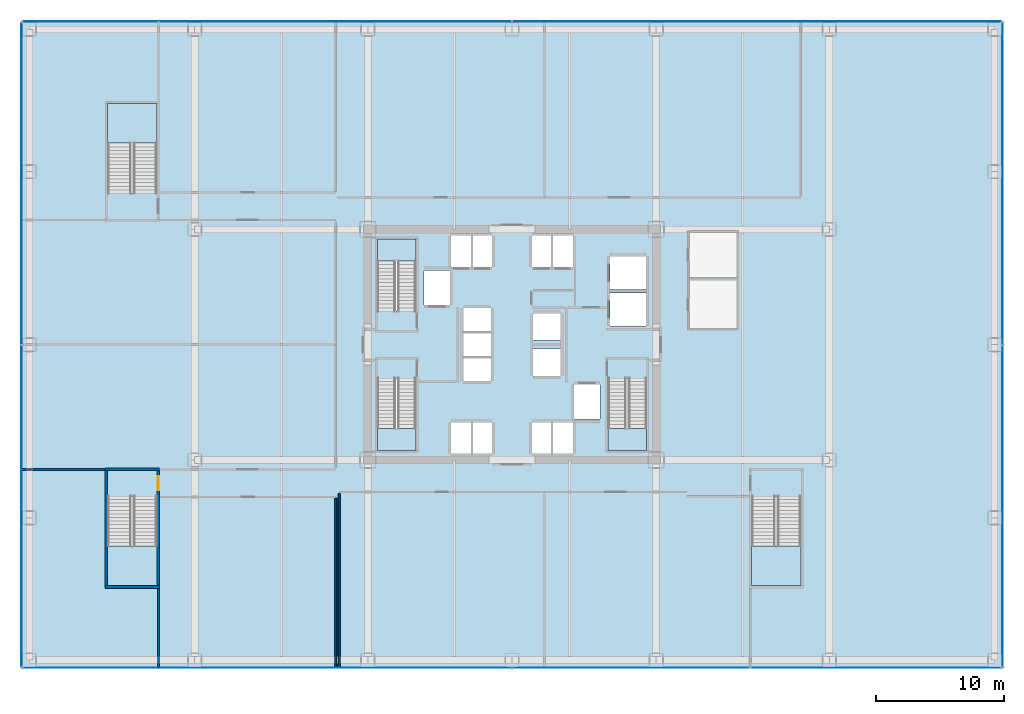
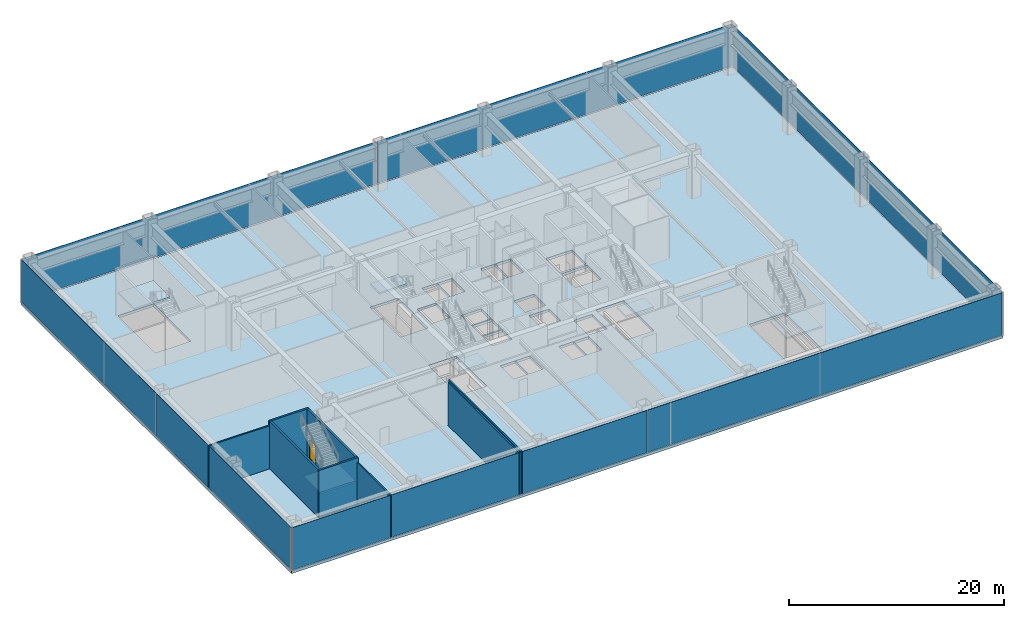
# One storey, part 16 of 24: 8 plates, 8 walls, 7 slabs, 1 door, 1 opening, 10 elements without a shape of their own.
"""IFC4 building model written with IfcOpenShell, lengths in metres."""

import ifcopenshell
import ifcopenshell.guid

model = None  # the IFC model being written
_history = None  # IfcOwnerHistory: only IFC2X3 demands one
_inside = {}  # id of a spatial element -> (the spatial element, [elements in it])
_under = {}  # id of a project, library or spatial element -> (it, [spatial elements below it])
_declared = {}  # id of a project -> (the project, [libraries it declares])
_typed = {}  # id of a type object -> (the type object, [elements of that type])
_made_of = {}  # id of a material, layer set ... -> (it, [elements and type objects made of it])


def new_model(schema):
    """Start an empty IFC model of exactly this schema.

    Asked for "IFC4X3", IfcOpenShell would pick the latest addendum, in which some entities
    have other attributes; the version numbers below select the first issue.
    IFC2X3 requires an IfcOwnerHistory on every rooted entity: one is made here for all.
    """
    global model, _history
    if schema == "IFC4X3":
        model = ifcopenshell.file(schema_version=(4, 3, 0, 0))
    else:
        model = ifcopenshell.file(schema=schema)
    _inside.clear()
    _under.clear()
    _declared.clear()
    _typed.clear()
    _made_of.clear()
    _history = None
    if model.schema == "IFC2X3":
        org = make("IfcOrganization", Name="unknown")
        user = make(
            "IfcPersonAndOrganization",
            ThePerson=make("IfcPerson", FamilyName="unknown"),
            TheOrganization=org,
        )
        app = make(
            "IfcApplication",
            ApplicationDeveloper=org,
            Version="unknown",
            ApplicationFullName="unknown",
            ApplicationIdentifier="unknown",
        )
        _history = make(
            "IfcOwnerHistory",
            OwningUser=user,
            OwningApplication=app,
            ChangeAction="ADDED",
            CreationDate=0,
        )
    return model


def make(cls, **values):
    """One entity of the class cls with the attributes given. An attribute that is None is left unset."""
    return model.create_entity(
        cls, **{name: value for name, value in values.items() if value is not None}
    )


def rooted(cls, **values):
    """An entity with a GlobalId (a new one), such as an element, a storey or a relation."""
    return make(cls, GlobalId=ifcopenshell.guid.new(), OwnerHistory=_history, **values)


def si_unit(unit_type, name, prefix=None):
    """IfcSIUnit, for example si_unit("LENGTHUNIT", "METRE", prefix="MILLI")."""
    return make("IfcSIUnit", UnitType=unit_type, Prefix=prefix, Name=name)


def assignment(units):
    """IfcUnitAssignment: the units of a project."""
    return None if units is None else make("IfcUnitAssignment", Units=units)


def point(xyz):
    """IfcCartesianPoint."""
    return None if xyz is None else make("IfcCartesianPoint", Coordinates=xyz)


def direction(xyz):
    """IfcDirection."""
    return None if xyz is None else make("IfcDirection", DirectionRatios=xyz)


def frame(location, z_axis=None, x_axis=None):
    """IfcAxis2Placement3D, a coordinate frame: its origin and axes. An axis left out is left unset."""
    return make(
        "IfcAxis2Placement3D",
        Location=point(location),
        Axis=direction(z_axis),
        RefDirection=direction(x_axis),
    )


def frame_2d(location, x_axis=None):
    """IfcAxis2Placement2D, a coordinate frame in the plane: its origin and x axis."""
    return make(
        "IfcAxis2Placement2D", Location=point(location), RefDirection=direction(x_axis)
    )


def origin():
    """The frame at (0, 0, 0) with its axes left unset."""
    return frame((0.0, 0.0, 0.0))


def origin_2d():
    """The frame at (0, 0) in the plane with its x axis left unset."""
    return frame_2d((0.0, 0.0))


def place(relative_to, where):
    """IfcLocalPlacement: puts the frame where relative to a parent placement (None: the world)."""
    return make(
        "IfcLocalPlacement", PlacementRelTo=relative_to, RelativePlacement=where
    )


def context(
    kind, dimensions, precision=None, world=None, true_north=None, identifier=None
):
    """IfcGeometricRepresentationContext, for example the 3D "Model" context."""
    return make(
        "IfcGeometricRepresentationContext",
        ContextIdentifier=identifier,
        ContextType=kind,
        CoordinateSpaceDimension=dimensions,
        Precision=precision,
        WorldCoordinateSystem=world,
        TrueNorth=true_north,
    )


def subcontext(parent, identifier, kind, view, scale=None):
    """IfcGeometricRepresentationSubContext, for example "Body" below "Model"."""
    return make(
        "IfcGeometricRepresentationSubContext",
        ContextIdentifier=identifier,
        ContextType=kind,
        ParentContext=parent,
        TargetScale=scale,
        TargetView=view,
    )


def project(units=None, contexts=None):
    """IfcProject with its units and contexts."""
    return rooted(
        "IfcProject",
        Name="project",
        RepresentationContexts=contexts,
        UnitsInContext=assignment(units),
    )


def spatial(cls, under=None, at=None, **own):
    """A site, building, storey or space (cls), placed at a placement, below another one or the project."""
    s = rooted(cls, ObjectPlacement=at, **own)
    if under is not None:
        _under.setdefault(under.id(), (under, []))[1].append(s)
    return s


def polyline(points):
    """IfcPolyline through the points."""
    return make("IfcPolyline", Points=[point(p) for p in points])


def profile(cls, at=None, kind="AREA", **sizes):
    """A parametric profile (cls). Its sizes go by their IFC names, for example OverallWidth=200.0."""
    return make(cls, ProfileType=kind, Position=at, **sizes)


def rectangle(**sizes):
    """IfcRectangleProfileDef."""
    return profile("IfcRectangleProfileDef", **sizes)


def outline(outer, holes=None, kind="AREA"):
    """IfcArbitraryClosedProfileDef: a profile drawn as a closed curve; with holes, ...WithVoids."""
    if holes is None:
        return make("IfcArbitraryClosedProfileDef", ProfileType=kind, OuterCurve=outer)
    return make(
        "IfcArbitraryProfileDefWithVoids",
        ProfileType=kind,
        OuterCurve=outer,
        InnerCurves=holes,
    )


def extrude(swept, where, along, depth):
    """IfcExtrudedAreaSolid: the profile swept, set in the frame where, extruded along a direction by depth."""
    return make(
        "IfcExtrudedAreaSolid",
        SweptArea=swept,
        Position=where,
        ExtrudedDirection=direction(along),
        Depth=depth,
    )


def shape(context_of_items, identifier, shape_type, items):
    """IfcShapeRepresentation: the items that make up one representation, for example the "Body"."""
    return make(
        "IfcShapeRepresentation",
        ContextOfItems=context_of_items,
        RepresentationIdentifier=identifier,
        RepresentationType=shape_type,
        Items=items,
    )


def source(mapping_origin, context_of_items, identifier, shape_type, items):
    """IfcRepresentationMap: a shape defined once, which mapped items show again and again."""
    return make(
        "IfcRepresentationMap",
        MappingOrigin=mapping_origin,
        MappedRepresentation=shape(context_of_items, identifier, shape_type, items),
    )


def transform(
    local_origin,
    x_axis=None,
    y_axis=None,
    z_axis=None,
    scale=None,
    scale2=None,
    scale3=None,
    uniform=True,
):
    """IfcCartesianTransformationOperator3D, or its non-uniform kind. x_axis, y_axis, z_axis: its Axis1, 2, 3."""
    if uniform:
        return make(
            "IfcCartesianTransformationOperator3D",
            Axis1=direction(x_axis),
            Axis2=direction(y_axis),
            LocalOrigin=point(local_origin),
            Scale=scale,
            Axis3=direction(z_axis),
        )
    return make(
        "IfcCartesianTransformationOperator3DnonUniform",
        Axis1=direction(x_axis),
        Axis2=direction(y_axis),
        LocalOrigin=point(local_origin),
        Scale=scale,
        Axis3=direction(z_axis),
        Scale2=scale2,
        Scale3=scale3,
    )


def mapped(mapping_source, mapping_target):
    """IfcMappedItem: shows the shape of a source again, moved by a transform."""
    return make(
        "IfcMappedItem", MappingSource=mapping_source, MappingTarget=mapping_target
    )


def material(Name=None, Category=None):
    """IfcMaterial."""
    return make("IfcMaterial", Name=Name, Category=Category)


def layer(
    of_material, thickness, ventilated=None, Name=None, Category=None, Priority=None
):
    """IfcMaterialLayer: one layer of a wall or slab, of a material (None: an air gap)."""
    return make(
        "IfcMaterialLayer",
        Material=of_material,
        LayerThickness=thickness,
        IsVentilated=ventilated,
        Name=Name,
        Category=Category,
        Priority=Priority,
    )


def layer_set(layers, Name=None):
    """IfcMaterialLayerSet."""
    return make("IfcMaterialLayerSet", MaterialLayers=layers, LayerSetName=Name)


def made_of(thing, what):
    """Note that an element or type object is made of a material, layer set ...; save() writes the relation."""
    if what is not None:
        _made_of.setdefault(what.id(), (what, []))[1].append(thing)
    return thing


def type_object(cls, material=None, **own):
    """A type object (cls), such as IfcWallType, which elements share."""
    return made_of(rooted(cls, **own), material)


def element(
    cls,
    number,
    at=None,
    inside=None,
    cuts=None,
    type_object=None,
    material=None,
    context=None,
    identifier="Body",
    shape_type=None,
    held_by="IfcProductDefinitionShape",
    body=None,
    shapes=None,
    **own,
):
    """One element of the class cls, such as IfcWall. Its Tag is "e" and its number.

    at: its placement. inside: the storey or other place that contains it. cuts: it is an
    opening in that element (IfcRelVoidsElement). A single representation is given by context,
    identifier, shape_type and body (its items); several are given by shapes. held_by: the class
    of the entity that holds the representations. save() writes the other relations.
    """
    e = rooted(cls, Tag="e%d" % number, ObjectPlacement=at, **own)
    if body is not None:
        shapes = [shape(context, identifier, shape_type, body)]
    if shapes is not None:
        e.Representation = make(held_by, Representations=shapes)
    if inside is not None:
        _inside.setdefault(inside.id(), (inside, []))[1].append(e)
    if cuts is not None:
        rooted(
            "IfcRelVoidsElement", RelatingBuildingElement=cuts, RelatedOpeningElement=e
        )
    if type_object is not None:
        _typed.setdefault(type_object.id(), (type_object, []))[1].append(e)
    return made_of(e, material)


def fill(opening, filler):
    """IfcRelFillsElement: the door or window that sits in an opening."""
    return rooted(
        "IfcRelFillsElement",
        RelatingOpeningElement=opening,
        RelatedBuildingElement=filler,
    )


def aggregate(whole, parts):
    """IfcRelAggregates: a whole, such as a stair, and the parts it consists of."""
    return rooted("IfcRelAggregates", RelatingObject=whole, RelatedObjects=parts)


def save(model, path):
    """Write the relations noted so far, then the file.

    IfcRelAggregates (storeys below a building ...), IfcRelContainedInSpatialStructure (elements
    in a storey), IfcRelDefinesByType, IfcRelAssociatesMaterial and IfcRelDeclares: one each for
    every whole, place, type object, material and project.
    """
    for whole, parts in _under.values():
        aggregate(whole, parts)
    for where, things in _inside.values():
        rooted(
            "IfcRelContainedInSpatialStructure",
            RelatedElements=things,
            RelatingStructure=where,
        )
    for kind, things in _typed.values():
        rooted("IfcRelDefinesByType", RelatedObjects=things, RelatingType=kind)
    for what, things in _made_of.values():
        rooted("IfcRelAssociatesMaterial", RelatedObjects=things, RelatingMaterial=what)
    for by, libraries in _declared.values():
        rooted("IfcRelDeclares", RelatingContext=by, RelatedDefinitions=libraries)
    model.write(path)


model = new_model("IFC4")

# Units and contexts
model_context = context("Model", 3, precision=1e-05, world=origin(), true_north=direction((0.0, 1.0)))
body_context = subcontext(model_context, "Body", "Model", "MODEL_VIEW")
ifc_project = project(units=[si_unit("LENGTHUNIT", "METRE"), si_unit("AREAUNIT", "SQUARE_METRE"), si_unit("VOLUMEUNIT", "CUBIC_METRE"), si_unit("PLANEANGLEUNIT", "RADIAN"), si_unit("MASSUNIT", "GRAM", prefix="KILO")], contexts=[model_context])

# Site, building, storey
site_placement = place(None, origin())
site = spatial("IfcSite", under=ifc_project, at=site_placement, CompositionType="ELEMENT")
building_placement = place(site_placement, origin())
building = spatial("IfcBuilding", under=site, at=building_placement, Name="Nefas-Gora Pilgrimage Tower", CompositionType="ELEMENT")
storey_placement = place(building_placement, frame((0.0, 0.0, 22.199951171875)))
storey = spatial("IfcBuildingStorey", under=building, at=storey_placement, Name="L04", CompositionType="ELEMENT", Elevation=22.199951171875)

# Slab
ifc_material_1 = material(Name="Concrete C45/55", Category="concrete")
ifc_layer_1 = layer(ifc_material_1, 0.300048828125)
ifc_layer_set_1 = layer_set([ifc_layer_1], Name="Concrete C45/55")
slab_type_1 = type_object("IfcSlabType", Name="SLB-POD-300", PredefinedType="FLOOR", material=ifc_layer_set_1)
slab_1_placement = place(storey_placement, frame((0.0, 0.0, -0.300048828125)))
element("IfcSlab", 1, at=slab_1_placement, inside=storey, type_object=slab_type_1, Name="L04 Structural Floor Slab", PredefinedType="FLOOR", context=body_context, shape_type="SweptSolid", body=[
    extrude(outline(polyline([(38.25, -25.199951171875), (38.25, 25.199951171875), (-38.25, 25.199951171875), (-38.25, -25.199951171875), (38.25, -25.199951171875)]), holes=[polyline([(-10.5, 2.639892578125), (-10.5, 8.25), (-7.5, 8.25), (-7.5, 2.639892578125), (-10.5, 2.639892578125)]), polyline([(10.5, -2.639892578125), (10.5, -8.25), (7.5, -8.25), (7.5, -2.639892578125), (10.5, -2.639892578125)]), polyline([(-7.5, -2.639892578125), (-7.5, -8.25), (-10.5, -8.25), (-10.5, -2.639892578125), (-7.5, -2.639892578125)]), polyline([(-31.5400390625, 11.840087890625), (-31.5400390625, 18.800048828125), (-27.699951171875, 18.800048828125), (-27.699951171875, 11.840087890625), (-31.5400390625, 11.840087890625)]), polyline([(-27.699951171875, -11.840087890625), (-27.699951171875, -18.800048828125), (-31.5400390625, -18.800048828125), (-31.5400390625, -11.840087890625), (-27.699951171875, -11.840087890625)]), polyline([(22.5400390625, -11.840087890625), (22.5400390625, -18.800048828125), (18.699951171875, -18.800048828125), (18.699951171875, -11.840087890625), (22.5400390625, -11.840087890625)]), polyline([(-6.85009765625, 5.800048828125), (-4.85009765625, 5.800048828125), (-4.85009765625, 3.10009765625), (-6.85009765625, 3.10009765625), (-6.85009765625, 5.800048828125)]), polyline([(4.85009765625, -3.10009765625), (6.85009765625, -3.10009765625), (6.85009765625, -5.800048828125), (4.85009765625, -5.800048828125), (4.85009765625, -3.10009765625)]), polyline([(7.64990234375, 4.050048828125), (10.449951171875, 4.050048828125), (10.449951171875, 1.449951171875), (7.64990234375, 1.449951171875), (7.64990234375, 4.050048828125)]), polyline([(7.64990234375, 6.89990234375), (10.449951171875, 6.89990234375), (10.449951171875, 4.300048828125), (7.64990234375, 4.300048828125), (7.64990234375, 6.89990234375)]), polyline([(-4.75, 8.5), (-3.14990234375, 8.5), (-3.14990234375, 6.050048828125), (-4.75, 6.050048828125), (-4.75, 8.5)]), polyline([(-3.10009765625, 8.5), (-1.550048828125, 8.5), (-1.550048828125, 6.050048828125), (-3.10009765625, 6.050048828125), (-3.10009765625, 8.5)]), polyline([(1.550048828125, 8.5), (3.10009765625, 8.5), (3.10009765625, 6.050048828125), (1.550048828125, 6.050048828125), (1.550048828125, 8.5)]), polyline([(3.14990234375, 8.5), (4.75, 8.5), (4.75, 6.050048828125), (3.14990234375, 6.050048828125), (3.14990234375, 8.5)]), polyline([(-4.75, -6.050048828125), (-3.14990234375, -6.050048828125), (-3.14990234375, -8.5), (-4.75, -8.5), (-4.75, -6.050048828125)]), polyline([(-3.10009765625, -6.050048828125), (-1.550048828125, -6.050048828125), (-1.550048828125, -8.5), (-3.10009765625, -8.5), (-3.10009765625, -6.050048828125)]), polyline([(1.550048828125, -6.050048828125), (3.10009765625, -6.050048828125), (3.10009765625, -8.5), (1.550048828125, -8.5), (1.550048828125, -6.050048828125)]), polyline([(3.14990234375, -6.050048828125), (4.75, -6.050048828125), (4.75, -8.5), (3.14990234375, -8.5), (3.14990234375, -6.050048828125)]), polyline([(-3.800048828125, -1.050048828125), (-1.64990234375, -1.050048828125), (-1.64990234375, -2.85009765625), (-3.800048828125, -2.85009765625), (-3.800048828125, -1.050048828125)]), polyline([(-3.800048828125, 0.89990234375), (-1.64990234375, 0.89990234375), (-1.64990234375, -0.89990234375), (-3.800048828125, -0.89990234375), (-3.800048828125, 0.89990234375)]), polyline([(-3.800048828125, 2.85009765625), (-1.64990234375, 2.85009765625), (-1.64990234375, 1.050048828125), (-3.800048828125, 1.050048828125), (-3.800048828125, 2.85009765625)]), polyline([(1.64990234375, -0.35009765625), (3.800048828125, -0.35009765625), (3.800048828125, -2.449951171875), (1.64990234375, -2.449951171875), (1.64990234375, -0.35009765625)]), polyline([(1.64990234375, 2.449951171875), (3.800048828125, 2.449951171875), (3.800048828125, 0.35009765625), (1.64990234375, 0.35009765625), (1.64990234375, 2.449951171875)])]), origin(), (0.0, 0.0, 1.0), 0.300048828125),
])

# Stair, slab
stair_type_1 = type_object("IfcStairType", Name="STR-1400-R1800", PredefinedType="HALF_TURN_STAIR", material=ifc_material_1)
stair_1_placement = place(storey_placement, origin())
stair_1 = element("IfcStair", 2, at=stair_1_placement, inside=storey, type_object=stair_type_1, Name="L04 Pressurised Tower Exit Stair ST-01", PredefinedType="HALF_TURN_STAIR")
ifc_material_2 = material(Name="Concrete C40/50", Category="concrete")
ifc_layer_2 = layer(ifc_material_2, 0.199951171875)
ifc_layer_set_2 = layer_set([ifc_layer_2], Name="Concrete C40/50")
slab_type_2 = type_object("IfcSlabType", Name="STR-LAND-200", PredefinedType="LANDING", material=ifc_layer_set_2)
slab_2_placement = place(storey_placement, frame((0.0, 0.0, 2.5)))
slab_2 = element("IfcSlab", 3, at=slab_2_placement, type_object=slab_type_2, Name="ST-01 landing 1", PredefinedType="LANDING", context=body_context, shape_type="SweptSolid", body=[
    extrude(outline(polyline([(-7.5, 6.52001953125), (-7.5, 8.25), (-10.5, 8.25), (-10.5, 6.52001953125), (-7.5, 6.52001953125)])), origin(), (0.0, 0.0, 1.0), 0.199951171875),
])
aggregate(stair_1, [slab_2])

stair_2_placement = place(storey_placement, origin())
stair_2 = element("IfcStair", 4, at=stair_2_placement, inside=storey, type_object=stair_type_1, Name="L04 Pressurised Tower Exit Stair ST-02", PredefinedType="HALF_TURN_STAIR")
slab_3_placement = place(storey_placement, frame((0.0, 0.0, 2.5)))
slab_3 = element("IfcSlab", 5, at=slab_3_placement, type_object=slab_type_2, Name="ST-02 landing 1", PredefinedType="LANDING", context=body_context, shape_type="SweptSolid", body=[
    extrude(outline(polyline([(7.5, -6.52001953125), (7.5, -8.25), (10.5, -8.25), (10.5, -6.52001953125), (7.5, -6.52001953125)])), origin(), (0.0, 0.0, 1.0), 0.199951171875),
])
aggregate(stair_2, [slab_3])

stair_3_placement = place(storey_placement, origin())
stair_3 = element("IfcStair", 6, at=stair_3_placement, inside=storey, type_object=stair_type_1, Name="L04 Pressurised Tower Exit Stair ST-03", PredefinedType="HALF_TURN_STAIR")
slab_4_placement = place(storey_placement, frame((0.0, 0.0, 2.5)))
slab_4 = element("IfcSlab", 7, at=slab_4_placement, type_object=slab_type_2, Name="ST-03 landing 1", PredefinedType="LANDING", context=body_context, shape_type="SweptSolid", body=[
    extrude(outline(polyline([(-10.5, -6.52001953125), (-10.5, -8.25), (-7.5, -8.25), (-7.5, -6.52001953125), (-10.5, -6.52001953125)])), origin(), (0.0, 0.0, 1.0), 0.199951171875),
])
aggregate(stair_3, [slab_4])

stair_type_2 = type_object("IfcStairType", Name="STR-1820-R1800", PredefinedType="HALF_TURN_STAIR", material=ifc_material_1)
stair_4_placement = place(storey_placement, origin())
stair_4 = element("IfcStair", 8, at=stair_4_placement, inside=storey, type_object=stair_type_2, Name="L04 Podium Exit Stair ST-04", PredefinedType="HALF_TURN_STAIR")
slab_5_placement = place(storey_placement, frame((0.0, 0.0, 2.5)))
slab_5 = element("IfcSlab", 9, at=slab_5_placement, type_object=slab_type_2, Name="ST-04 landing 1", PredefinedType="LANDING", context=body_context, shape_type="SweptSolid", body=[
    extrude(outline(polyline([(-27.699951171875, 15.719970703125), (-27.699951171875, 18.800048828125), (-31.5400390625, 18.800048828125), (-31.5400390625, 15.719970703125), (-27.699951171875, 15.719970703125)])), origin(), (0.0, 0.0, 1.0), 0.199951171875),
])
aggregate(stair_4, [slab_5])

stair_5_placement = place(storey_placement, origin())
stair_5 = element("IfcStair", 10, at=stair_5_placement, inside=storey, type_object=stair_type_2, Name="L04 Podium Exit Stair ST-05", PredefinedType="HALF_TURN_STAIR")
slab_6_placement = place(storey_placement, frame((0.0, 0.0, 2.5)))
slab_6 = element("IfcSlab", 11, at=slab_6_placement, type_object=slab_type_2, Name="ST-05 landing 1", PredefinedType="LANDING", context=body_context, shape_type="SweptSolid", body=[
    extrude(outline(polyline([(-31.5400390625, -15.719970703125), (-31.5400390625, -18.800048828125), (-27.699951171875, -18.800048828125), (-27.699951171875, -15.719970703125), (-31.5400390625, -15.719970703125)])), origin(), (0.0, 0.0, 1.0), 0.199951171875),
])
aggregate(stair_5, [slab_6])

stair_6_placement = place(storey_placement, origin())
stair_6 = element("IfcStair", 12, at=stair_6_placement, inside=storey, type_object=stair_type_2, Name="L04 Podium Exit Stair ST-06", PredefinedType="HALF_TURN_STAIR")
slab_7_placement = place(storey_placement, frame((0.0, 0.0, 2.5)))
slab_7 = element("IfcSlab", 13, at=slab_7_placement, type_object=slab_type_2, Name="ST-06 landing 1", PredefinedType="LANDING", context=body_context, shape_type="SweptSolid", body=[
    extrude(outline(polyline([(18.699951171875, -15.719970703125), (18.699951171875, -18.800048828125), (22.5400390625, -18.800048828125), (22.5400390625, -15.719970703125), (18.699951171875, -15.719970703125)])), origin(), (0.0, 0.0, 1.0), 0.199951171875),
])
aggregate(stair_6, [slab_7])

# Curtain wall, plates
ifc_material_3 = material(Name="Dark ceramic-fritted solar-control aluminium-glass curtain wall", Category="aluminium")
ifc_layer_3 = layer(ifc_material_3, 0.219970703125)
ifc_layer_set_3 = layer_set([ifc_layer_3], Name="Dark ceramic-fritted solar-control aluminium-glass curtain wall")
curtain_wall_type = type_object("IfcCurtainWallType", Name="CW-SYS-1", PredefinedType="NOTDEFINED", material=ifc_layer_set_3)
curtain_wall_1_placement = place(storey_placement, origin())
curtain_wall_1 = element("IfcCurtainWall", 14, at=curtain_wall_1_placement, inside=storey, type_object=curtain_wall_type, Name="L04 Unitised Curtain Wall CW1", PredefinedType="NOTDEFINED")
ifc_material_4 = material(Name="Dark ceramic-printed low-e insulated glass", Category="glass")
ifc_layer_4 = layer(ifc_material_4, 0.035888671875)
ifc_layer_set_4 = layer_set([ifc_layer_4], Name="Dark ceramic-printed low-e insulated glass")
plate_type = type_object("IfcPlateType", Name="CWP-PNL-1", PredefinedType="CURTAIN_PANEL", material=ifc_layer_set_4)
shared_shape_1 = source(origin(), body_context, "Body", "SweptSolid", [
    extrude(rectangle(XDim=25.06494140625, YDim=0.035888671875, at=origin_2d()), origin(), (0.0, 0.0, 1.0), 4.81005859375),
])
plate_1_placement = place(storey_placement, frame((38.25, -12.577392578125, 0.10009765625), z_axis=(0.0, 0.0, 1.0), x_axis=(0.0, 1.0, 0.0)))
plate_1 = element("IfcPlate", 15, at=plate_1_placement, type_object=plate_type, Name="CW1 Ceramic-Fritted Glazing Panel 1", PredefinedType="CURTAIN_PANEL", context=body_context, shape_type="MappedRepresentation", body=[
    mapped(shared_shape_1, transform((0.0, 0.0, 0.0), x_axis=(1.0, 0.0, 0.0), y_axis=(0.0, 1.0, 0.0), z_axis=(0.0, 0.0, 1.0), scale=1.0)),
])
plate_2_placement = place(storey_placement, frame((38.25, 12.577392578125, 0.10009765625), z_axis=(0.0, 0.0, 1.0), x_axis=(0.0, 1.0, 0.0)))
plate_2 = element("IfcPlate", 16, at=plate_2_placement, type_object=plate_type, Name="CW1 Ceramic-Fritted Glazing Panel 2", PredefinedType="CURTAIN_PANEL", context=body_context, shape_type="MappedRepresentation", body=[
    mapped(shared_shape_1, transform((0.0, 0.0, 0.0), x_axis=(1.0, 0.0, 0.0), y_axis=(0.0, 1.0, 0.0), z_axis=(0.0, 0.0, 1.0), scale=1.0)),
])
aggregate(curtain_wall_1, [plate_1, plate_2])

curtain_wall_2_placement = place(storey_placement, origin())
curtain_wall_2 = element("IfcCurtainWall", 17, at=curtain_wall_2_placement, inside=storey, type_object=curtain_wall_type, Name="L04 Unitised Curtain Wall CW1", PredefinedType="NOTDEFINED")
plate_3_placement = place(storey_placement, frame((-38.25, 12.577392578125, 0.10009765625), z_axis=(0.0, 0.0, 1.0), x_axis=(0.0, -1.0, 0.0)))
plate_3 = element("IfcPlate", 18, at=plate_3_placement, type_object=plate_type, Name="CW1 Ceramic-Fritted Glazing Panel 1", PredefinedType="CURTAIN_PANEL", context=body_context, shape_type="MappedRepresentation", body=[
    mapped(shared_shape_1, transform((0.0, 0.0, 0.0), x_axis=(1.0, 0.0, 0.0), y_axis=(0.0, 1.0, 0.0), z_axis=(0.0, 0.0, 1.0), scale=1.0)),
])
plate_4_placement = place(storey_placement, frame((-38.25, -12.577392578125, 0.10009765625), z_axis=(0.0, 0.0, 1.0), x_axis=(0.0, -1.0, 0.0)))
plate_4 = element("IfcPlate", 19, at=plate_4_placement, type_object=plate_type, Name="CW1 Ceramic-Fritted Glazing Panel 2", PredefinedType="CURTAIN_PANEL", context=body_context, shape_type="MappedRepresentation", body=[
    mapped(shared_shape_1, transform((0.0, 0.0, 0.0), x_axis=(1.0, 0.0, 0.0), y_axis=(0.0, 1.0, 0.0), z_axis=(0.0, 0.0, 1.0), scale=1.0)),
])
aggregate(curtain_wall_2, [plate_3, plate_4])

curtain_wall_3_placement = place(storey_placement, origin())
curtain_wall_3 = element("IfcCurtainWall", 20, at=curtain_wall_3_placement, inside=storey, type_object=curtain_wall_type, Name="L04 Unitised Curtain Wall CW1", PredefinedType="NOTDEFINED")
shared_shape_2 = source(origin(), body_context, "Body", "SweptSolid", [
    extrude(rectangle(XDim=38.114990234375, YDim=0.035888671875, at=origin_2d()), origin(), (0.0, 0.0, 1.0), 4.81005859375),
])
plate_5_placement = place(storey_placement, frame((19.1025390625, 25.199951171875, 0.10009765625), z_axis=(0.0, 0.0, 1.0), x_axis=(-1.0, 0.0, 0.0)))
plate_5 = element("IfcPlate", 21, at=plate_5_placement, type_object=plate_type, Name="CW1 Ceramic-Fritted Glazing Panel 1", PredefinedType="CURTAIN_PANEL", context=body_context, shape_type="MappedRepresentation", body=[
    mapped(shared_shape_2, transform((0.0, 0.0, 0.0), x_axis=(1.0, 0.0, 0.0), y_axis=(0.0, 1.0, 0.0), z_axis=(0.0, 0.0, 1.0), scale=1.0)),
])
plate_6_placement = place(storey_placement, frame((-19.1025390625, 25.199951171875, 0.10009765625), z_axis=(0.0, 0.0, 1.0), x_axis=(-1.0, 0.0, 0.0)))
plate_6 = element("IfcPlate", 22, at=plate_6_placement, type_object=plate_type, Name="CW1 Ceramic-Fritted Glazing Panel 2", PredefinedType="CURTAIN_PANEL", context=body_context, shape_type="MappedRepresentation", body=[
    mapped(shared_shape_2, transform((0.0, 0.0, 0.0), x_axis=(1.0, 0.0, 0.0), y_axis=(0.0, 1.0, 0.0), z_axis=(0.0, 0.0, 1.0), scale=1.0)),
])
aggregate(curtain_wall_3, [plate_5, plate_6])

curtain_wall_4_placement = place(storey_placement, origin())
curtain_wall_4 = element("IfcCurtainWall", 23, at=curtain_wall_4_placement, inside=storey, type_object=curtain_wall_type, Name="L04 Unitised Curtain Wall CW1", PredefinedType="NOTDEFINED")
plate_7_placement = place(storey_placement, frame((-19.1025390625, -25.199951171875, 0.10009765625), z_axis=(0.0, 0.0, 1.0), x_axis=(1.0, 0.0, 0.0)))
plate_7 = element("IfcPlate", 24, at=plate_7_placement, type_object=plate_type, Name="CW1 Ceramic-Fritted Glazing Panel 1", PredefinedType="CURTAIN_PANEL", context=body_context, shape_type="MappedRepresentation", body=[
    mapped(shared_shape_2, transform((0.0, 0.0, 0.0), x_axis=(1.0, 0.0, 0.0), y_axis=(0.0, 1.0, 0.0), z_axis=(0.0, 0.0, 1.0), scale=1.0)),
])
plate_8_placement = place(storey_placement, frame((19.1025390625, -25.199951171875, 0.10009765625), z_axis=(0.0, 0.0, 1.0), x_axis=(1.0, 0.0, 0.0)))
plate_8 = element("IfcPlate", 25, at=plate_8_placement, type_object=plate_type, Name="CW1 Ceramic-Fritted Glazing Panel 2", PredefinedType="CURTAIN_PANEL", context=body_context, shape_type="MappedRepresentation", body=[
    mapped(shared_shape_2, transform((0.0, 0.0, 0.0), x_axis=(1.0, 0.0, 0.0), y_axis=(0.0, 1.0, 0.0), z_axis=(0.0, 0.0, 1.0), scale=1.0)),
])
aggregate(curtain_wall_4, [plate_7, plate_8])

# Walls
ifc_layer_5 = layer(ifc_material_1, 0.199951171875)
ifc_layer_set_5 = layer_set([ifc_layer_5], Name="Concrete C45/55")
wall_type_1 = type_object("IfcWallType", Name="IW-STAIR-200", PredefinedType="SOLIDWALL", material=ifc_layer_set_5)
shared_shape_3 = source(origin(), body_context, "Body", "SweptSolid", [
    extrude(rectangle(XDim=4.239990234375, YDim=0.199951171875, at=frame_2d((2.1201171875, 0.0))), origin(), (0.0, 0.0, 1.0), 5.400146484375),
])
for number, where, z_axis, x_axis, name in (
    (26, (-31.739990234375, -9.699951171875, 0.0), (0.0, 0.0, 1.0), (1.0, 0.0, 0.0), "L04 Stairwell Shear Wall ST-05-near"),
    (27, (-31.739990234375, -18.89990234375, 0.0), (0.0, 0.0, 1.0), (1.0, 0.0, 0.0), "L04 Stairwell Shear Wall ST-05-far"),
):
    element("IfcWall", number, at=place(storey_placement, frame(where, z_axis=z_axis, x_axis=x_axis)), inside=storey, type_object=wall_type_1, Name=name, PredefinedType="SOLIDWALL", context=body_context, shape_type="MappedRepresentation", body=[
        mapped(shared_shape_3, transform((0.0, 0.0, 0.0), x_axis=(1.0, 0.0, 0.0), y_axis=(0.0, 1.0, 0.0), z_axis=(0.0, 0.0, 1.0), scale=1.0)),
    ])
shared_shape_4 = source(origin(), body_context, "Body", "SweptSolid", [
    extrude(rectangle(XDim=9.0, YDim=0.199951171875, at=frame_2d((4.5, 0.0))), origin(), (0.0, 0.0, 1.0), 5.400146484375),
])
wall_1_placement = place(storey_placement, frame((-31.639892578125, -9.800048828125, 0.0), z_axis=(0.0, 0.0, 1.0), x_axis=(0.0, -1.0, 0.0)))
element("IfcWall", 28, at=wall_1_placement, inside=storey, type_object=wall_type_1, Name="L04 Stairwell Shear Wall ST-05-left", PredefinedType="SOLIDWALL", context=body_context, shape_type="MappedRepresentation", body=[
    mapped(shared_shape_4, transform((0.0, 0.0, 0.0), x_axis=(1.0, 0.0, 0.0), y_axis=(0.0, 1.0, 0.0), z_axis=(0.0, 0.0, 1.0), scale=1.0)),
])

# Wall, opening, door
wall_2_placement = place(storey_placement, frame((-27.60009765625, -9.800048828125, 0.0), z_axis=(0.0, 0.0, 1.0), x_axis=(0.0, -1.0, 0.0)))
wall_2 = element("IfcWall", 29, at=wall_2_placement, inside=storey, type_object=wall_type_1, Name="L04 Stairwell Shear Wall ST-05-right", PredefinedType="SOLIDWALL", context=body_context, shape_type="MappedRepresentation", body=[
    mapped(shared_shape_4, transform((0.0, 0.0, 0.0), x_axis=(1.0, 0.0, 0.0), y_axis=(0.0, 1.0, 0.0), z_axis=(0.0, 0.0, 1.0), scale=1.0)),
])
opening_placement = place(wall_2_placement, frame((0.449951171875, 0.0, 0.0)))
opening = element("IfcOpeningElement", 30, at=opening_placement, cuts=wall_2, Name="Opening ID-ST1", PredefinedType="OPENING", context=body_context, shape_type="SweptSolid", body=[
    extrude(rectangle(XDim=1.10009765625, YDim=2.14990234375, at=frame_2d((0.550048828125, 1.074951171875))), frame((0.0, 0.10986328125, 0.0), z_axis=(0.0, -1.0, 0.0), x_axis=(1.0, 0.0, 0.0)), (0.0, 0.0, 1.0), 0.219970703125),
])
ifc_material_5 = material(Name="Painted galvanised steel fire stair door", Category="steel")
door_type = type_object("IfcDoorType", Name="DR-INT-STAIR-1100", OperationType="NOTDEFINED", PredefinedType="DOOR", material=ifc_material_5)
shared_shape_5 = source(origin(), body_context, "Body", "SweptSolid", [
    extrude(rectangle(XDim=1.10009765625, YDim=2.14990234375, at=frame_2d((0.550048828125, 1.074951171875))), frame((0.0, 0.02490234375, 0.0), z_axis=(0.0, -1.0, 0.0), x_axis=(1.0, 0.0, 0.0)), (0.0, 0.0, 1.0), 0.050048828125),
])
door_placement = place(opening_placement, origin())
door = element("IfcDoor", 31, at=door_placement, inside=storey, type_object=door_type, Name="L04 Protected Exit Stair Door ST-05", OperationType="SINGLE_SWING_RIGHT", OverallHeight=2.14990234375, OverallWidth=1.10009765625, PredefinedType="DOOR", context=body_context, shape_type="MappedRepresentation", body=[
    mapped(shared_shape_5, transform((0.0, 0.0, 0.0), x_axis=(1.0, 0.0, 0.0), y_axis=(0.0, 1.0, 0.0), z_axis=(0.0, 0.0, 1.0), scale=1.0)),
])
fill(opening, door)

# Walls
ifc_material_6 = material(Name="Gypsum acoustic stud partition")
ifc_layer_6 = layer(ifc_material_6, 0.159912109375)
ifc_layer_set_6 = layer_set([ifc_layer_6], Name="Gypsum acoustic stud partition")
wall_type_2 = type_object("IfcWallType", Name="IW-CORR-160", PredefinedType="PARTITIONING", material=ifc_layer_set_6)
shared_shape_6 = source(origin(), body_context, "Body", "SweptSolid", [
    extrude(rectangle(XDim=6.52490234375, YDim=0.159912109375, at=frame_2d((3.262451171875, 0.0))), origin(), (0.0, 0.0, 1.0), 4.905029296875),
])
wall_3_placement = place(storey_placement, frame((-38.27001953125, -9.72998046875, 0.0), z_axis=(0.0, 0.0, 1.0), x_axis=(1.0, 0.0, 0.0)))
element("IfcWall", 32, at=wall_3_placement, inside=storey, type_object=wall_type_2, Name="L04 Pilgrim Refectory Dining Hall South-West Partition Wall 30", PredefinedType="PARTITIONING", context=body_context, shape_type="MappedRepresentation", body=[
    mapped(shared_shape_6, transform((0.0, 0.0, 0.0), x_axis=(1.0, 0.0, 0.0), y_axis=(0.0, 1.0, 0.0), z_axis=(0.0, 0.0, 1.0), scale=1.0)),
])
ifc_material_7 = material(Name="Gypsum twin-stud partition")
ifc_layer_7 = layer(ifc_material_7, 0.139892578125)
ifc_layer_set_7 = layer_set([ifc_layer_7], Name="Gypsum twin-stud partition")
wall_type_3 = type_object("IfcWallType", Name="IW-UNIT-140", PredefinedType="PARTITIONING", material=ifc_layer_set_7)
shared_shape_7 = source(origin(), body_context, "Body", "SweptSolid", [
    extrude(rectangle(XDim=6.179931640625, YDim=0.139892578125, at=frame_2d((3.08984375, 0.0))), origin(), (0.0, 0.0, 1.0), 4.905029296875),
])
wall_4_placement = place(storey_placement, frame((-27.580078125, -25.219970703125, 0.0), z_axis=(0.0, 0.0, 1.0), x_axis=(0.0, 1.0, 0.0)))
element("IfcWall", 33, at=wall_4_placement, inside=storey, type_object=wall_type_3, Name="L04 Dishwashing and Cold Pantry Partition Wall 42", PredefinedType="PARTITIONING", context=body_context, shape_type="MappedRepresentation", body=[
    mapped(shared_shape_7, transform((0.0, 0.0, 0.0), x_axis=(1.0, 0.0, 0.0), y_axis=(0.0, 1.0, 0.0), z_axis=(0.0, 0.0, 1.0), scale=1.0)),
])
shared_shape_8 = source(origin(), body_context, "Body", "SweptSolid", [
    extrude(rectangle(XDim=13.22998046875, YDim=0.139892578125, at=frame_2d((6.614990234375, 0.0))), origin(), (0.0, 0.0, 1.0), 4.905029296875),
])
wall_5_placement = place(storey_placement, frame((-13.75, -25.219970703125, 0.0), z_axis=(0.0, 0.0, 1.0), x_axis=(0.0, 1.0, 0.0)))
element("IfcWall", 34, at=wall_5_placement, inside=storey, type_object=wall_type_3, Name="L04 Dishwashing and Cold Pantry Partition Wall 41", PredefinedType="PARTITIONING", context=body_context, shape_type="MappedRepresentation", body=[
    mapped(shared_shape_8, transform((0.0, 0.0, 0.0), x_axis=(1.0, 0.0, 0.0), y_axis=(0.0, 1.0, 0.0), z_axis=(0.0, 0.0, 1.0), scale=1.0)),
])
shared_shape_9 = source(origin(), body_context, "Body", "SweptSolid", [
    extrude(rectangle(XDim=13.60986328125, YDim=0.139892578125, at=frame_2d((6.804931640625, 0.0))), origin(), (0.0, 0.0, 1.0), 4.905029296875),
])
wall_6_placement = place(storey_placement, frame((-13.47998046875, -25.219970703125, 0.0), z_axis=(0.0, 0.0, 1.0), x_axis=(0.0, 1.0, 0.0)))
element("IfcWall", 35, at=wall_6_placement, inside=storey, type_object=wall_type_3, Name="L04 Pilgrim Tea Tasting Lounge Partition Wall 45", PredefinedType="PARTITIONING", context=body_context, shape_type="MappedRepresentation", body=[
    mapped(shared_shape_9, transform((0.0, 0.0, 0.0), x_axis=(1.0, 0.0, 0.0), y_axis=(0.0, 1.0, 0.0), z_axis=(0.0, 0.0, 1.0), scale=1.0)),
])

save(model, "model.ifc")
